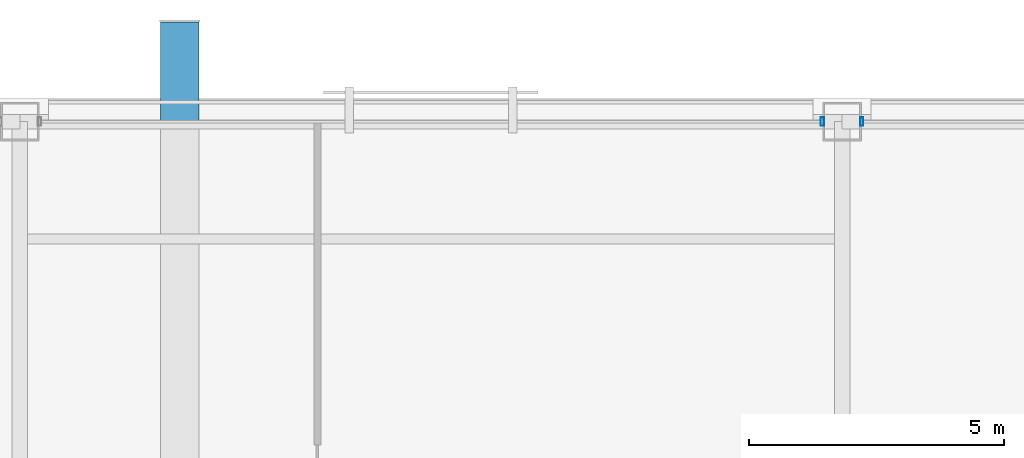
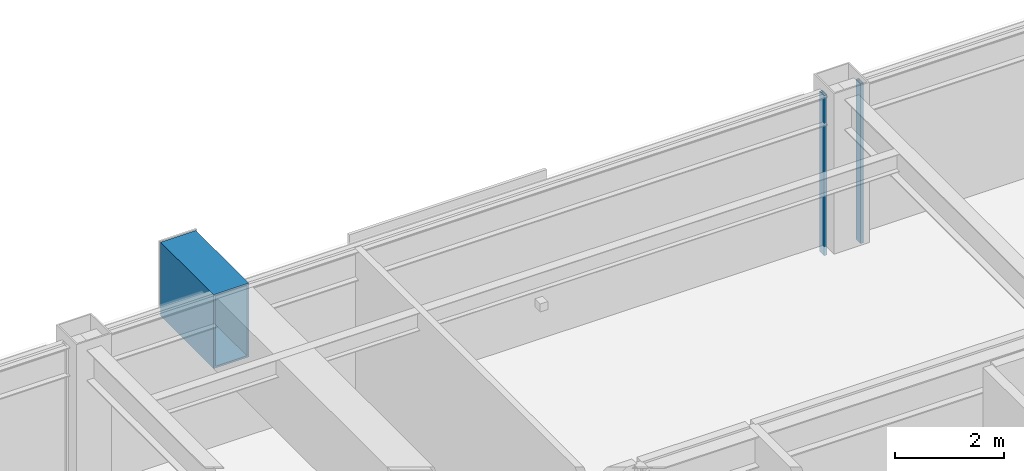
# One storey, part 21 of 28: 2 members, 1 beam, 2 elements without a shape of their own.
"""IFC4 building model written with IfcOpenShell, lengths in metres."""

from ifc_helpers import new_model, si_unit, direction, frame, origin, origin_2d, place, context, subcontext, project, spatial, hollow_rectangle, extrude, material, layer, layer_set, material_profile, profile_set, type_object, element, aggregate, save


model = new_model("IFC4")

# Units and contexts
model_context = context("Model", 3, precision=1e-05, world=origin(), true_north=direction((0.0, 1.0)))
body_context = subcontext(model_context, "Body", "Model", "MODEL_VIEW")
ifc_project = project(units=[si_unit("LENGTHUNIT", "METRE"), si_unit("AREAUNIT", "SQUARE_METRE"), si_unit("VOLUMEUNIT", "CUBIC_METRE"), si_unit("PLANEANGLEUNIT", "RADIAN"), si_unit("MASSUNIT", "GRAM", prefix="KILO")], contexts=[model_context])

# Site, building, storey
site_placement = place(None, origin())
site = spatial("IfcSite", under=ifc_project, at=site_placement, CompositionType="ELEMENT")
building_placement = place(site_placement, origin())
building = spatial("IfcBuilding", under=site, at=building_placement, Name="Brelmoor Portico Tower", CompositionType="ELEMENT")
storey_placement = place(building_placement, frame((0.0, 0.0, 155.10009765625)))
storey = spatial("IfcBuildingStorey", under=building, at=storey_placement, Name="L40", CompositionType="ELEMENT", Elevation=155.10009765625)

# Beam
ifc_material_1 = material(Name="Steel Q355B", Category="steel")
ifc_material_profile_1 = material_profile(ifc_material_1, hollow_rectangle(XDim=0.75, YDim=1.659912109375, WallThickness=0.0419921875, at=origin_2d()), Name="BOX 750x1660x42")
ifc_profile_set_1 = profile_set([ifc_material_profile_1], Name="Steel Q355B")
beam_type = type_object("IfcBeamType", Name="BM-PF-CANT", PredefinedType="BEAM", material=ifc_profile_set_1)
beam_placement = place(storey_placement, frame((-4.919921875, 18.550048828125, 2.56982421875), z_axis=(0.0, 1.0, 0.0), x_axis=(-1.0, 0.0, 0.0)))
element("IfcBeam", 1, at=beam_placement, inside=storey, type_object=beam_type, Name="L40 Picture-Frame Outrigger Transfer Cantilever PFB-04", PredefinedType="BEAM", context=body_context, shape_type="SweptSolid", body=[
    extrude(hollow_rectangle(XDim=0.75, YDim=1.659912109375, WallThickness=0.0419921875, at=origin_2d()), origin(), (0.0, 0.0, 1.0), 1.949951171875),
])

# Curtain wall, member
ifc_material_2 = material(Name="Anodised Aluminium Alloy 6063-T6", Category="aluminium")
ifc_layer = layer(ifc_material_2, 0.179931640625)
ifc_layer_set = layer_set([ifc_layer], Name="Anodised Aluminium Alloy 6063-T6")
curtain_wall_type = type_object("IfcCurtainWallType", Name="CW-TOWER-Z3-XB", PredefinedType="NOTDEFINED", material=ifc_layer_set)
curtain_wall_1_placement = place(storey_placement, origin())
curtain_wall_1 = element("IfcCurtainWall", 2, at=curtain_wall_1_placement, inside=storey, type_object=curtain_wall_type, Name="L40 Curtain Wall CW-L40-02-2", PredefinedType="NOTDEFINED")
ifc_material_profile_2 = material_profile(ifc_material_2, hollow_rectangle(XDim=0.06494140625, YDim=0.1650390625, WallThickness=0.00390625, at=origin_2d()), Name="ALU MULLION 65x165")
ifc_profile_set_2 = profile_set([ifc_material_profile_2], Name="Anodised Aluminium Alloy 6063-T6")
member_type = type_object("IfcMemberType", Name="MB-CW-MULL-165", PredefinedType="MULLION", material=ifc_profile_set_2)
member_1_placement = place(storey_placement, frame((7.6650390625, 18.550048828125, -0.2001953125), z_axis=(0.0, 0.0, 1.0), x_axis=(1.0, 0.0, 0.0)))
member_1 = element("IfcMember", 3, at=member_1_placement, type_object=member_type, Name="CW-L40-02-2 Mullion 01", PredefinedType="MULLION", context=body_context, shape_type="SweptSolid", body=[
    extrude(hollow_rectangle(XDim=0.06494140625, YDim=0.1650390625, WallThickness=0.00390625, at=origin_2d()), origin(), (0.0, 0.0, 1.0), 3.60009765625),
])
aggregate(curtain_wall_1, [member_1])

curtain_wall_2_placement = place(storey_placement, origin())
curtain_wall_2 = element("IfcCurtainWall", 4, at=curtain_wall_2_placement, inside=storey, type_object=curtain_wall_type, Name="L40 Curtain Wall CW-L40-02-3", PredefinedType="NOTDEFINED")
member_2_placement = place(storey_placement, frame((8.43505859375, 18.550048828125, -0.2001953125), z_axis=(0.0, 0.0, 1.0), x_axis=(1.0, 0.0, 0.0)))
member_2 = element("IfcMember", 5, at=member_2_placement, type_object=member_type, Name="CW-L40-02-3 Mullion 00", PredefinedType="MULLION", context=body_context, shape_type="SweptSolid", body=[
    extrude(hollow_rectangle(XDim=0.06494140625, YDim=0.1650390625, WallThickness=0.00390625, at=origin_2d()), origin(), (0.0, 0.0, 1.0), 3.60009765625),
])
aggregate(curtain_wall_2, [member_2])

save(model, "model.ifc")
